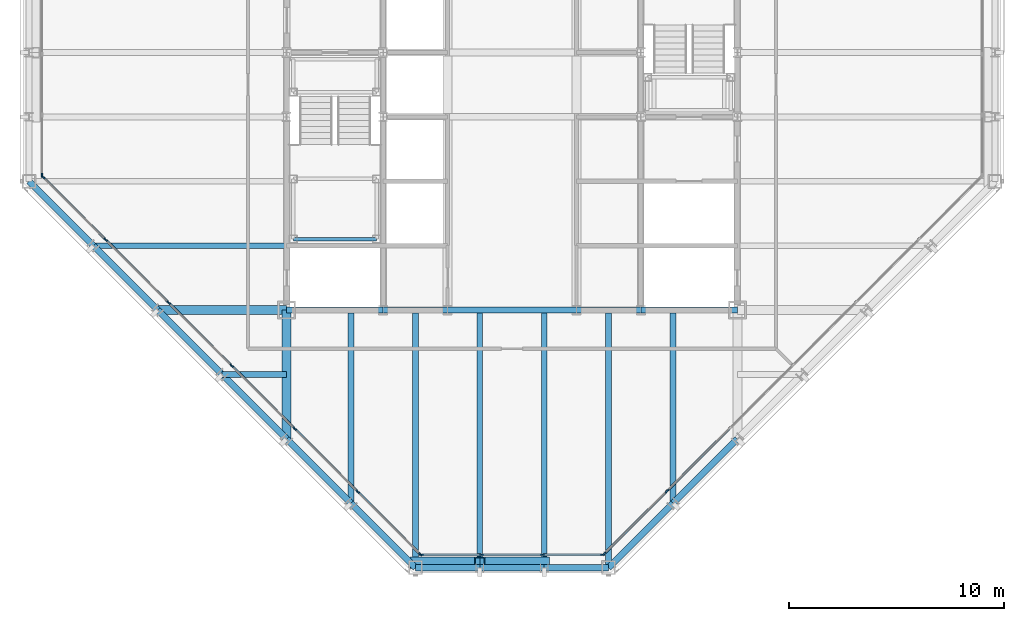
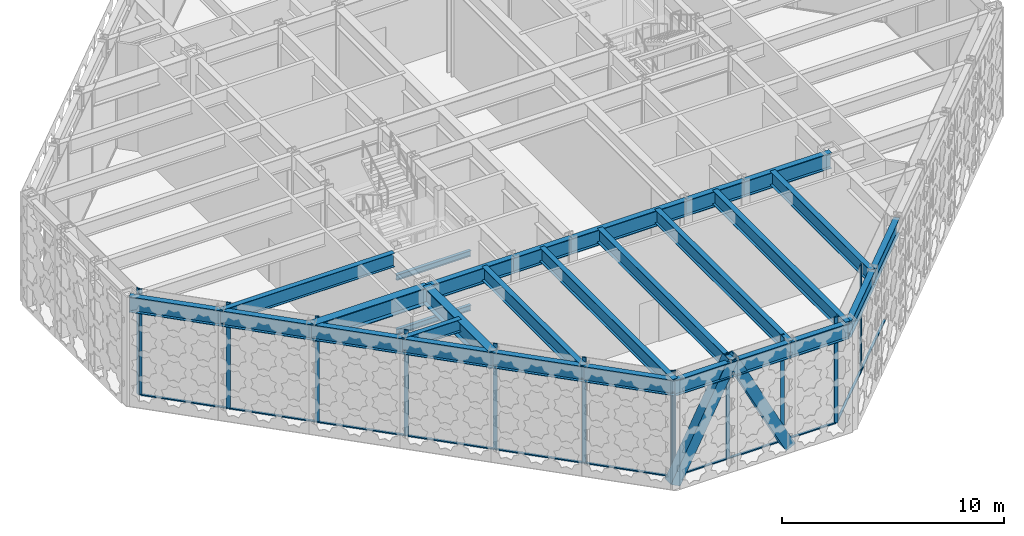
# One storey, part 5 of 28: 28 beams, 27 members, 4 elements without a shape of their own.
"""IFC4 building model written with IfcOpenShell, lengths in metres."""

import ifcopenshell
import ifcopenshell.guid

model = None  # the IFC model being written
_history = None  # IfcOwnerHistory: only IFC2X3 demands one
_inside = {}  # id of a spatial element -> (the spatial element, [elements in it])
_under = {}  # id of a project, library or spatial element -> (it, [spatial elements below it])
_declared = {}  # id of a project -> (the project, [libraries it declares])
_typed = {}  # id of a type object -> (the type object, [elements of that type])
_made_of = {}  # id of a material, layer set ... -> (it, [elements and type objects made of it])


def new_model(schema):
    """Start an empty IFC model of exactly this schema.

    Asked for "IFC4X3", IfcOpenShell would pick the latest addendum, in which some entities
    have other attributes; the version numbers below select the first issue.
    IFC2X3 requires an IfcOwnerHistory on every rooted entity: one is made here for all.
    """
    global model, _history
    if schema == "IFC4X3":
        model = ifcopenshell.file(schema_version=(4, 3, 0, 0))
    else:
        model = ifcopenshell.file(schema=schema)
    _inside.clear()
    _under.clear()
    _declared.clear()
    _typed.clear()
    _made_of.clear()
    _history = None
    if model.schema == "IFC2X3":
        org = make("IfcOrganization", Name="unknown")
        user = make(
            "IfcPersonAndOrganization",
            ThePerson=make("IfcPerson", FamilyName="unknown"),
            TheOrganization=org,
        )
        app = make(
            "IfcApplication",
            ApplicationDeveloper=org,
            Version="unknown",
            ApplicationFullName="unknown",
            ApplicationIdentifier="unknown",
        )
        _history = make(
            "IfcOwnerHistory",
            OwningUser=user,
            OwningApplication=app,
            ChangeAction="ADDED",
            CreationDate=0,
        )
    return model


def make(cls, **values):
    """One entity of the class cls with the attributes given. An attribute that is None is left unset."""
    return model.create_entity(
        cls, **{name: value for name, value in values.items() if value is not None}
    )


def rooted(cls, **values):
    """An entity with a GlobalId (a new one), such as an element, a storey or a relation."""
    return make(cls, GlobalId=ifcopenshell.guid.new(), OwnerHistory=_history, **values)


def si_unit(unit_type, name, prefix=None):
    """IfcSIUnit, for example si_unit("LENGTHUNIT", "METRE", prefix="MILLI")."""
    return make("IfcSIUnit", UnitType=unit_type, Prefix=prefix, Name=name)


def assignment(units):
    """IfcUnitAssignment: the units of a project."""
    return None if units is None else make("IfcUnitAssignment", Units=units)


def point(xyz):
    """IfcCartesianPoint."""
    return None if xyz is None else make("IfcCartesianPoint", Coordinates=xyz)


def direction(xyz):
    """IfcDirection."""
    return None if xyz is None else make("IfcDirection", DirectionRatios=xyz)


def frame(location, z_axis=None, x_axis=None):
    """IfcAxis2Placement3D, a coordinate frame: its origin and axes. An axis left out is left unset."""
    return make(
        "IfcAxis2Placement3D",
        Location=point(location),
        Axis=direction(z_axis),
        RefDirection=direction(x_axis),
    )


def frame_2d(location, x_axis=None):
    """IfcAxis2Placement2D, a coordinate frame in the plane: its origin and x axis."""
    return make(
        "IfcAxis2Placement2D", Location=point(location), RefDirection=direction(x_axis)
    )


def origin():
    """The frame at (0, 0, 0) with its axes left unset."""
    return frame((0.0, 0.0, 0.0))


def origin_2d():
    """The frame at (0, 0) in the plane with its x axis left unset."""
    return frame_2d((0.0, 0.0))


def place(relative_to, where):
    """IfcLocalPlacement: puts the frame where relative to a parent placement (None: the world)."""
    return make(
        "IfcLocalPlacement", PlacementRelTo=relative_to, RelativePlacement=where
    )


def context(
    kind, dimensions, precision=None, world=None, true_north=None, identifier=None
):
    """IfcGeometricRepresentationContext, for example the 3D "Model" context."""
    return make(
        "IfcGeometricRepresentationContext",
        ContextIdentifier=identifier,
        ContextType=kind,
        CoordinateSpaceDimension=dimensions,
        Precision=precision,
        WorldCoordinateSystem=world,
        TrueNorth=true_north,
    )


def subcontext(parent, identifier, kind, view, scale=None):
    """IfcGeometricRepresentationSubContext, for example "Body" below "Model"."""
    return make(
        "IfcGeometricRepresentationSubContext",
        ContextIdentifier=identifier,
        ContextType=kind,
        ParentContext=parent,
        TargetScale=scale,
        TargetView=view,
    )


def project(units=None, contexts=None):
    """IfcProject with its units and contexts."""
    return rooted(
        "IfcProject",
        Name="project",
        RepresentationContexts=contexts,
        UnitsInContext=assignment(units),
    )


def spatial(cls, under=None, at=None, **own):
    """A site, building, storey or space (cls), placed at a placement, below another one or the project."""
    s = rooted(cls, ObjectPlacement=at, **own)
    if under is not None:
        _under.setdefault(under.id(), (under, []))[1].append(s)
    return s


def profile(cls, at=None, kind="AREA", **sizes):
    """A parametric profile (cls). Its sizes go by their IFC names, for example OverallWidth=200.0."""
    return make(cls, ProfileType=kind, Position=at, **sizes)


def rectangle(**sizes):
    """IfcRectangleProfileDef."""
    return profile("IfcRectangleProfileDef", **sizes)


def hollow_rectangle(**sizes):
    """IfcRectangleHollowProfileDef."""
    return profile("IfcRectangleHollowProfileDef", **sizes)


def i_section(**sizes):
    """IfcIShapeProfileDef."""
    return profile("IfcIShapeProfileDef", **sizes)


def extrude(swept, where, along, depth):
    """IfcExtrudedAreaSolid: the profile swept, set in the frame where, extruded along a direction by depth."""
    return make(
        "IfcExtrudedAreaSolid",
        SweptArea=swept,
        Position=where,
        ExtrudedDirection=direction(along),
        Depth=depth,
    )


def shape(context_of_items, identifier, shape_type, items):
    """IfcShapeRepresentation: the items that make up one representation, for example the "Body"."""
    return make(
        "IfcShapeRepresentation",
        ContextOfItems=context_of_items,
        RepresentationIdentifier=identifier,
        RepresentationType=shape_type,
        Items=items,
    )


def material(Name=None, Category=None):
    """IfcMaterial."""
    return make("IfcMaterial", Name=Name, Category=Category)


def layer(
    of_material, thickness, ventilated=None, Name=None, Category=None, Priority=None
):
    """IfcMaterialLayer: one layer of a wall or slab, of a material (None: an air gap)."""
    return make(
        "IfcMaterialLayer",
        Material=of_material,
        LayerThickness=thickness,
        IsVentilated=ventilated,
        Name=Name,
        Category=Category,
        Priority=Priority,
    )


def layer_set(layers, Name=None):
    """IfcMaterialLayerSet."""
    return make("IfcMaterialLayerSet", MaterialLayers=layers, LayerSetName=Name)


def material_profile(
    of_material, cross_section, Name=None, Category=None, Priority=None
):
    """IfcMaterialProfile: a cross section and its material."""
    return make(
        "IfcMaterialProfile",
        Name=Name,
        Material=of_material,
        Profile=cross_section,
        Priority=Priority,
        Category=Category,
    )


def profile_set(profiles, Name=None, composite=None):
    """IfcMaterialProfileSet."""
    return make(
        "IfcMaterialProfileSet",
        Name=Name,
        MaterialProfiles=profiles,
        CompositeProfile=composite,
    )


def made_of(thing, what):
    """Note that an element or type object is made of a material, layer set ...; save() writes the relation."""
    if what is not None:
        _made_of.setdefault(what.id(), (what, []))[1].append(thing)
    return thing


def type_object(cls, material=None, **own):
    """A type object (cls), such as IfcWallType, which elements share."""
    return made_of(rooted(cls, **own), material)


def element(
    cls,
    number,
    at=None,
    inside=None,
    cuts=None,
    type_object=None,
    material=None,
    context=None,
    identifier="Body",
    shape_type=None,
    held_by="IfcProductDefinitionShape",
    body=None,
    shapes=None,
    **own,
):
    """One element of the class cls, such as IfcWall. Its Tag is "e" and its number.

    at: its placement. inside: the storey or other place that contains it. cuts: it is an
    opening in that element (IfcRelVoidsElement). A single representation is given by context,
    identifier, shape_type and body (its items); several are given by shapes. held_by: the class
    of the entity that holds the representations. save() writes the other relations.
    """
    e = rooted(cls, Tag="e%d" % number, ObjectPlacement=at, **own)
    if body is not None:
        shapes = [shape(context, identifier, shape_type, body)]
    if shapes is not None:
        e.Representation = make(held_by, Representations=shapes)
    if inside is not None:
        _inside.setdefault(inside.id(), (inside, []))[1].append(e)
    if cuts is not None:
        rooted(
            "IfcRelVoidsElement", RelatingBuildingElement=cuts, RelatedOpeningElement=e
        )
    if type_object is not None:
        _typed.setdefault(type_object.id(), (type_object, []))[1].append(e)
    return made_of(e, material)


def aggregate(whole, parts):
    """IfcRelAggregates: a whole, such as a stair, and the parts it consists of."""
    return rooted("IfcRelAggregates", RelatingObject=whole, RelatedObjects=parts)


def save(model, path):
    """Write the relations noted so far, then the file.

    IfcRelAggregates (storeys below a building ...), IfcRelContainedInSpatialStructure (elements
    in a storey), IfcRelDefinesByType, IfcRelAssociatesMaterial and IfcRelDeclares: one each for
    every whole, place, type object, material and project.
    """
    for whole, parts in _under.values():
        aggregate(whole, parts)
    for where, things in _inside.values():
        rooted(
            "IfcRelContainedInSpatialStructure",
            RelatedElements=things,
            RelatingStructure=where,
        )
    for kind, things in _typed.values():
        rooted("IfcRelDefinesByType", RelatedObjects=things, RelatingType=kind)
    for what, things in _made_of.values():
        rooted("IfcRelAssociatesMaterial", RelatedObjects=things, RelatingMaterial=what)
    for by, libraries in _declared.values():
        rooted("IfcRelDeclares", RelatingContext=by, RelatedDefinitions=libraries)
    model.write(path)


model = new_model("IFC4")

# Units and contexts
model_context = context("Model", 3, precision=1e-05, world=origin(), true_north=direction((0.0, 1.0)))
body_context = subcontext(model_context, "Body", "Model", "MODEL_VIEW")
ifc_project = project(units=[si_unit("LENGTHUNIT", "METRE"), si_unit("AREAUNIT", "SQUARE_METRE"), si_unit("VOLUMEUNIT", "CUBIC_METRE"), si_unit("PLANEANGLEUNIT", "RADIAN"), si_unit("MASSUNIT", "GRAM", prefix="KILO")], contexts=[model_context])

# Site, building, storey
site_placement = place(None, origin())
site = spatial("IfcSite", under=ifc_project, at=site_placement, CompositionType="ELEMENT")
building_placement = place(site_placement, origin())
building = spatial("IfcBuilding", under=site, at=building_placement, Name="Chuquiago Exchange Tower", CompositionType="ELEMENT")
storey_placement = place(building_placement, frame((0.0, 0.0, 300.0)))
storey = spatial("IfcBuildingStorey", under=building, at=storey_placement, Name="L67", CompositionType="ELEMENT", Elevation=300.0)

# Beams
ifc_material_1 = material(Name="Steel ASTM A992", Category="steel")
ifc_material_profile_1 = material_profile(ifc_material_1, i_section(OverallWidth=0.2919921875, OverallDepth=0.8583984375, WebThickness=0.01708984375, FlangeThickness=0.031005859375, at=origin_2d()), Name="W33X169")
ifc_profile_set_1 = profile_set([ifc_material_profile_1], Name="Steel ASTM A992")
beam_type_1 = type_object("IfcBeamType", Name="B3 W33X169", PredefinedType="BEAM", material=ifc_profile_set_1)
beam_1_placement = place(storey_placement, frame((12.0, 12.0, 5.41064453125), z_axis=(1.0, 0.0, 0.0), x_axis=(0.0, 1.0, 0.0)))
element("IfcBeam", 1, at=beam_1_placement, inside=storey, type_object=beam_type_1, Name="CB-L68-12_12-16.5_12", PredefinedType="BEAM", context=body_context, shape_type="SweptSolid", body=[
    extrude(i_section(OverallWidth=0.2919921875, OverallDepth=0.8583984375, WebThickness=0.01708984375, FlangeThickness=0.031005859375, at=origin_2d()), origin(), (0.0, 0.0, 1.0), 4.5),
])
beam_2_placement = place(storey_placement, frame((16.5, 12.0, 5.41064453125), z_axis=(1.0, 0.0, 0.0), x_axis=(0.0, 1.0, 0.0)))
element("IfcBeam", 2, at=beam_2_placement, inside=storey, type_object=beam_type_1, Name="CB-L68-16.5_12-19.5_12", PredefinedType="BEAM", context=body_context, shape_type="SweptSolid", body=[
    extrude(i_section(OverallWidth=0.2919921875, OverallDepth=0.8583984375, WebThickness=0.01708984375, FlangeThickness=0.031005859375, at=origin_2d()), origin(), (0.0, 0.0, 1.0), 3.0),
])
beam_3_placement = place(storey_placement, frame((19.5, 12.0, 5.41064453125), z_axis=(1.0, 0.0, 0.0), x_axis=(0.0, 1.0, 0.0)))
element("IfcBeam", 3, at=beam_3_placement, inside=storey, type_object=beam_type_1, Name="CB-L68-19.5_12-25.5_12", PredefinedType="BEAM", context=body_context, shape_type="SweptSolid", body=[
    extrude(i_section(OverallWidth=0.2919921875, OverallDepth=0.8583984375, WebThickness=0.01708984375, FlangeThickness=0.031005859375, at=origin_2d()), origin(), (0.0, 0.0, 1.0), 6.0),
])
beam_4_placement = place(storey_placement, frame((25.5, 12.0, 5.41064453125), z_axis=(1.0, 0.0, 0.0), x_axis=(0.0, 1.0, 0.0)))
element("IfcBeam", 4, at=beam_4_placement, inside=storey, type_object=beam_type_1, Name="CB-L68-25.5_12-28.5_12", PredefinedType="BEAM", context=body_context, shape_type="SweptSolid", body=[
    extrude(i_section(OverallWidth=0.2919921875, OverallDepth=0.8583984375, WebThickness=0.01708984375, FlangeThickness=0.031005859375, at=origin_2d()), origin(), (0.0, 0.0, 1.0), 3.0),
])
beam_5_placement = place(storey_placement, frame((28.5, 12.0, 5.41064453125), z_axis=(1.0, 0.0, 0.0), x_axis=(0.0, 1.0, 0.0)))
element("IfcBeam", 5, at=beam_5_placement, inside=storey, type_object=beam_type_1, Name="CB-L68-28.5_12-33_12", PredefinedType="BEAM", context=body_context, shape_type="SweptSolid", body=[
    extrude(i_section(OverallWidth=0.2919921875, OverallDepth=0.8583984375, WebThickness=0.01708984375, FlangeThickness=0.031005859375, at=origin_2d()), origin(), (0.0, 0.0, 1.0), 4.5),
])
ifc_material_2 = material(Name="Steel ASTM A992", Category="steel")
ifc_material_profile_2 = material_profile(ifc_material_2, i_section(OverallWidth=0.2666015625, OverallDepth=0.761962890625, WebThickness=0.014404296875, FlangeThickness=0.021484375, at=origin_2d()), Name="W30X116")
ifc_profile_set_2 = profile_set([ifc_material_profile_2], Name="Steel ASTM A992")
beam_type_2 = type_object("IfcBeamType", Name="B8 W30X116", PredefinedType="BEAM", material=ifc_profile_set_2)
beam_6_placement = place(storey_placement, frame((15.0, 12.0, 5.458984375), z_axis=(0.0, -1.0, 0.0), x_axis=(1.0, 0.0, 0.0)))
element("IfcBeam", 6, at=beam_6_placement, inside=storey, type_object=beam_type_2, Name="FB-L68-infill-15_12-15_3-0", PredefinedType="BEAM", context=body_context, shape_type="SweptSolid", body=[
    extrude(i_section(OverallWidth=0.2666015625, OverallDepth=0.761962890625, WebThickness=0.014404296875, FlangeThickness=0.021484375, at=origin_2d()), origin(), (0.0, 0.0, 1.0), 9.0),
])
for number, where, z_axis, x_axis, name in (
    (7, (18.0, 12.0, 5.458984375), (0.0, -1.0, 0.0), (1.0, 0.0, 0.0), "FB-L68-infill-18_12-18_-0-0"),
    (8, (21.0, 12.0, 5.458984375), (0.0, -1.0, 0.0), (1.0, 0.0, 0.0), "FB-L68-infill-21_12-21_-0-0"),
    (9, (24.0, 12.0, 5.458984375), (0.0, -1.0, 0.0), (1.0, 0.0, 0.0), "FB-L68-infill-24_12-24_-0-0"),
    (10, (27.0, 12.0, 5.458984375), (0.0, -1.0, 0.0), (1.0, 0.0, 0.0), "FB-L68-infill-27_12-27_-0-0"),
):
    element("IfcBeam", number, at=place(storey_placement, frame(where, z_axis=z_axis, x_axis=x_axis)), inside=storey, type_object=beam_type_2, Name=name, PredefinedType="BEAM", context=body_context, shape_type="SweptSolid", body=[
        extrude(i_section(OverallWidth=0.2666015625, OverallDepth=0.761962890625, WebThickness=0.014404296875, FlangeThickness=0.021484375, at=origin_2d()), origin(), (0.0, 0.0, 1.0), 12.0),
    ])
for number, where, z_axis, x_axis, name in (
    (11, (30.0, 12.0, 5.458984375), (0.0, -1.0, 0.0), (1.0, 0.0, 0.0), "FB-L68-infill-30_12-30_3-0"),
    (12, (12.0, 15.0, 5.458984375), (-1.0, 0.0, 0.0), (0.0, -1.0, 0.0), "FB-L68-infill-12_15-3_15-0"),
):
    element("IfcBeam", number, at=place(storey_placement, frame(where, z_axis=z_axis, x_axis=x_axis)), inside=storey, type_object=beam_type_2, Name=name, PredefinedType="BEAM", context=body_context, shape_type="SweptSolid", body=[
        extrude(i_section(OverallWidth=0.2666015625, OverallDepth=0.761962890625, WebThickness=0.014404296875, FlangeThickness=0.021484375, at=origin_2d()), origin(), (0.0, 0.0, 1.0), 9.0),
    ])
ifc_material_3 = material(Name="Steel ASTM A992", Category="steel")
ifc_material_profile_3 = material_profile(ifc_material_3, i_section(OverallWidth=0.256591796875, OverallDepth=0.693359375, WebThickness=0.014404296875, FlangeThickness=0.023681640625, at=origin_2d()), Name="W27X114")
ifc_profile_set_3 = profile_set([ifc_material_profile_3], Name="Steel ASTM A992")
beam_type_3 = type_object("IfcBeamType", Name="B9 W27X114", PredefinedType="BEAM", material=ifc_profile_set_3)
beam_7_placement = place(storey_placement, frame((12.0, 9.0, 5.493408203125), z_axis=(-1.0, 0.0, 0.0), x_axis=(0.0, -1.0, 0.0)))
element("IfcBeam", 13, at=beam_7_placement, inside=storey, type_object=beam_type_3, Name="FB-L68-corner-12_9-9_9-0", PredefinedType="BEAM", context=body_context, shape_type="SweptSolid", body=[
    extrude(i_section(OverallWidth=0.256591796875, OverallDepth=0.693359375, WebThickness=0.014404296875, FlangeThickness=0.023681640625, at=origin_2d()), origin(), (0.0, 0.0, 1.0), 3.0),
])

# Curtain wall, members
ifc_material_4 = material(Name="Aluminium curtain wall system", Category="aluminium")
ifc_layer = layer(ifc_material_4, 0.199951171875)
ifc_layer_set = layer_set([ifc_layer], Name="CW5 lantern curtain wall")
curtain_wall_type = type_object("IfcCurtainWallType", Name="CW5 lantern curtain wall", PredefinedType="NOTDEFINED", material=ifc_layer_set)
curtain_wall_1_placement = place(storey_placement, origin())
curtain_wall_1 = element("IfcCurtainWall", 14, at=curtain_wall_1_placement, inside=storey, type_object=curtain_wall_type, Name="CW5 curtain wall L67", PredefinedType="NOTDEFINED")
ifc_material_5 = material(Name="Aluminium mullion, pale anodised", Category="aluminium")
ifc_material_profile_4 = material_profile(ifc_material_5, rectangle(XDim=0.06005859375, YDim=0.199951171875, at=origin_2d()), Name="AL 60x200")
ifc_profile_set_4 = profile_set([ifc_material_profile_4], Name="Aluminium mullion, pale anodised")
member_type_1 = type_object("IfcMemberType", Name="CW5-M mullion 60x200", PredefinedType="MULLION", material=ifc_profile_set_4)
member_1_placement = place(storey_placement, frame((18.278564453125, 0.60009765625, 0.0), z_axis=(0.0, 0.0, 1.0), x_axis=(0.0, 1.0, 0.0)))
member_1 = element("IfcMember", 15, at=member_1_placement, type_object=member_type_1, Name="CW5 mullion 1", PredefinedType="MULLION", context=body_context, shape_type="SweptSolid", body=[
    extrude(rectangle(XDim=0.06005859375, YDim=0.199951171875, at=origin_2d()), origin(), (0.0, 0.0, 1.0), 5.840087890625),
])
member_2_placement = place(storey_placement, frame((21.082763671875, 0.60009765625, 0.0), z_axis=(0.0, 0.0, 1.0), x_axis=(0.0, 1.0, 0.0)))
member_2 = element("IfcMember", 16, at=member_2_placement, type_object=member_type_1, Name="CW5 mullion 2", PredefinedType="MULLION", context=body_context, shape_type="SweptSolid", body=[
    extrude(rectangle(XDim=0.06005859375, YDim=0.199951171875, at=origin_2d()), origin(), (0.0, 0.0, 1.0), 5.840087890625),
])
member_3_placement = place(storey_placement, frame((23.917236328125, 0.60009765625, 0.0), z_axis=(0.0, 0.0, 1.0), x_axis=(0.0, 1.0, 0.0)))
member_3 = element("IfcMember", 17, at=member_3_placement, type_object=member_type_1, Name="CW5 mullion 3", PredefinedType="MULLION", context=body_context, shape_type="SweptSolid", body=[
    extrude(rectangle(XDim=0.06005859375, YDim=0.199951171875, at=origin_2d()), origin(), (0.0, 0.0, 1.0), 5.840087890625),
])
member_4_placement = place(storey_placement, frame((26.721435546875, 0.60009765625, 0.0), z_axis=(0.0, 0.0, 1.0), x_axis=(0.0, 1.0, 0.0)))
member_4 = element("IfcMember", 18, at=member_4_placement, type_object=member_type_1, Name="CW5 mullion 4", PredefinedType="MULLION", context=body_context, shape_type="SweptSolid", body=[
    extrude(rectangle(XDim=0.06005859375, YDim=0.199951171875, at=origin_2d()), origin(), (0.0, 0.0, 1.0), 5.840087890625),
])

curtain_wall_2_placement = place(storey_placement, origin())
curtain_wall_2 = element("IfcCurtainWall", 19, at=curtain_wall_2_placement, inside=storey, type_object=curtain_wall_type, Name="CW5 curtain wall L67", PredefinedType="NOTDEFINED")
member_5_placement = place(storey_placement, frame((26.80810546875, 0.656494140625, 0.0), z_axis=(0.0, 0.0, 1.0), x_axis=(-0.707104773852, 0.707108788515, 0.0)))
member_5 = element("IfcMember", 20, at=member_5_placement, type_object=member_type_1, Name="CW5 mullion 1", PredefinedType="MULLION", context=body_context, shape_type="SweptSolid", body=[
    extrude(rectangle(XDim=0.06005859375, YDim=0.199951171875, at=origin_2d()), origin(), (0.0, 0.0, 1.0), 5.840087890625),
])
member_6_placement = place(storey_placement, frame((29.722412109375, 3.57080078125, 0.0), z_axis=(0.0, 0.0, 1.0), x_axis=(-0.707104773852, 0.707108788515, 0.0)))
member_6 = element("IfcMember", 21, at=member_6_placement, type_object=member_type_1, Name="CW5 mullion 2", PredefinedType="MULLION", context=body_context, shape_type="SweptSolid", body=[
    extrude(rectangle(XDim=0.06005859375, YDim=0.199951171875, at=origin_2d()), origin(), (0.0, 0.0, 1.0), 5.840087890625),
])

# Curtain wall, member
curtain_wall_3_placement = place(storey_placement, origin())
curtain_wall_3 = element("IfcCurtainWall", 22, at=curtain_wall_3_placement, inside=storey, type_object=curtain_wall_type, Name="CW5 curtain wall L67", PredefinedType="NOTDEFINED")
member_7_placement = place(storey_placement, frame((0.60009765625, 18.278564453125, 0.0), z_axis=(0.0, 0.0, 1.0), x_axis=(1.0, 0.0, 0.0)))
member_7 = element("IfcMember", 23, at=member_7_placement, type_object=member_type_1, Name="CW5 mullion 4", PredefinedType="MULLION", context=body_context, shape_type="SweptSolid", body=[
    extrude(rectangle(XDim=0.06005859375, YDim=0.199951171875, at=origin_2d()), origin(), (0.0, 0.0, 1.0), 5.840087890625),
])
aggregate(curtain_wall_3, [member_7])

# Curtain wall, members
curtain_wall_4_placement = place(storey_placement, origin())
curtain_wall_4 = element("IfcCurtainWall", 24, at=curtain_wall_4_placement, inside=storey, type_object=curtain_wall_type, Name="CW5 curtain wall L67", PredefinedType="NOTDEFINED")
member_8_placement = place(storey_placement, frame((0.656494140625, 18.19189453125, 0.0), z_axis=(0.0, 0.0, 1.0), x_axis=(0.707108788515, 0.707104773852, 0.0)))
member_8 = element("IfcMember", 25, at=member_8_placement, type_object=member_type_1, Name="CW5 mullion 1", PredefinedType="MULLION", context=body_context, shape_type="SweptSolid", body=[
    extrude(rectangle(XDim=0.06005859375, YDim=0.199951171875, at=origin_2d()), origin(), (0.0, 0.0, 1.0), 5.840087890625),
])
member_9_placement = place(storey_placement, frame((3.57080078125, 15.277587890625, 0.0), z_axis=(0.0, 0.0, 1.0), x_axis=(0.707108788515, 0.707104773852, 0.0)))
member_9 = element("IfcMember", 26, at=member_9_placement, type_object=member_type_1, Name="CW5 mullion 2", PredefinedType="MULLION", context=body_context, shape_type="SweptSolid", body=[
    extrude(rectangle(XDim=0.06005859375, YDim=0.199951171875, at=origin_2d()), origin(), (0.0, 0.0, 1.0), 5.840087890625),
])
member_10_placement = place(storey_placement, frame((6.50634765625, 12.342041015625, 0.0), z_axis=(0.0, 0.0, 1.0), x_axis=(0.707108788515, 0.707104773852, 0.0)))
member_10 = element("IfcMember", 27, at=member_10_placement, type_object=member_type_1, Name="CW5 mullion 3", PredefinedType="MULLION", context=body_context, shape_type="SweptSolid", body=[
    extrude(rectangle(XDim=0.06005859375, YDim=0.199951171875, at=origin_2d()), origin(), (0.0, 0.0, 1.0), 5.840087890625),
])
member_11_placement = place(storey_placement, frame((9.44189453125, 9.406494140625, 0.0), z_axis=(0.0, 0.0, 1.0), x_axis=(0.707108788515, 0.707104773852, 0.0)))
member_11 = element("IfcMember", 28, at=member_11_placement, type_object=member_type_1, Name="CW5 mullion 4", PredefinedType="MULLION", context=body_context, shape_type="SweptSolid", body=[
    extrude(rectangle(XDim=0.06005859375, YDim=0.199951171875, at=origin_2d()), origin(), (0.0, 0.0, 1.0), 5.840087890625),
])
member_12_placement = place(storey_placement, frame((12.37744140625, 6.470947265625, 0.0), z_axis=(0.0, 0.0, 1.0), x_axis=(0.707108788515, 0.707104773852, 0.0)))
member_12 = element("IfcMember", 29, at=member_12_placement, type_object=member_type_1, Name="CW5 mullion 5", PredefinedType="MULLION", context=body_context, shape_type="SweptSolid", body=[
    extrude(rectangle(XDim=0.06005859375, YDim=0.199951171875, at=origin_2d()), origin(), (0.0, 0.0, 1.0), 5.840087890625),
])
member_13_placement = place(storey_placement, frame((15.31298828125, 3.53564453125, 0.0), z_axis=(0.0, 0.0, 1.0), x_axis=(0.707108788515, 0.707104773852, 0.0)))
member_13 = element("IfcMember", 30, at=member_13_placement, type_object=member_type_1, Name="CW5 mullion 6", PredefinedType="MULLION", context=body_context, shape_type="SweptSolid", body=[
    extrude(rectangle(XDim=0.06005859375, YDim=0.199951171875, at=origin_2d()), origin(), (0.0, 0.0, 1.0), 5.840087890625),
])
member_14_placement = place(storey_placement, frame((18.227294921875, 0.62109375, 0.0), z_axis=(0.0, 0.0, 1.0), x_axis=(0.707108788515, 0.707104773852, 0.0)))
member_14 = element("IfcMember", 31, at=member_14_placement, type_object=member_type_1, Name="CW5 mullion 7", PredefinedType="MULLION", context=body_context, shape_type="SweptSolid", body=[
    extrude(rectangle(XDim=0.06005859375, YDim=0.199951171875, at=origin_2d()), origin(), (0.0, 0.0, 1.0), 5.840087890625),
])

# Member
ifc_material_6 = material(Name="Aluminium transom, pale anodised", Category="aluminium")
ifc_material_profile_5 = material_profile(ifc_material_6, rectangle(XDim=0.1201171875, YDim=0.06005859375, at=origin_2d()), Name="AL 120x60")
ifc_profile_set_5 = profile_set([ifc_material_profile_5], Name="Aluminium transom, pale anodised")
member_type_2 = type_object("IfcMemberType", Name="CW5-T transom 60x120", PredefinedType="MULLION", material=ifc_profile_set_5)
member_15_placement = place(storey_placement, frame((18.30859375, 0.60009765625, 0.030029296875), z_axis=(1.0, 0.0, 0.0), x_axis=(0.0, 1.0, 0.0)))
member_15 = element("IfcMember", 32, at=member_15_placement, type_object=member_type_2, Name="CW5 transom 1.1", PredefinedType="MULLION", context=body_context, shape_type="SweptSolid", body=[
    extrude(rectangle(XDim=0.1201171875, YDim=0.06005859375, at=origin_2d()), origin(), (0.0, 0.0, 1.0), 2.744140625),
])

member_16_placement = place(storey_placement, frame((21.11279296875, 0.60009765625, 0.030029296875), z_axis=(1.0, 0.0, 0.0), x_axis=(0.0, 1.0, 0.0)))
member_16 = element("IfcMember", 33, at=member_16_placement, type_object=member_type_2, Name="CW5 transom 2.1", PredefinedType="MULLION", context=body_context, shape_type="SweptSolid", body=[
    extrude(rectangle(XDim=0.1201171875, YDim=0.06005859375, at=origin_2d()), origin(), (0.0, 0.0, 1.0), 2.7744140625),
])

member_17_placement = place(storey_placement, frame((23.947265625, 0.60009765625, 0.030029296875), z_axis=(1.0, 0.0, 0.0), x_axis=(0.0, 1.0, 0.0)))
member_17 = element("IfcMember", 34, at=member_17_placement, type_object=member_type_2, Name="CW5 transom 3.1", PredefinedType="MULLION", context=body_context, shape_type="SweptSolid", body=[
    extrude(rectangle(XDim=0.1201171875, YDim=0.06005859375, at=origin_2d()), origin(), (0.0, 0.0, 1.0), 2.744140625),
])

aggregate(curtain_wall_1, [member_1, member_2, member_3, member_4, member_15, member_16, member_17])

member_18_placement = place(storey_placement, frame((26.829345703125, 0.677734375, 0.030029296875), z_axis=(0.707076725429, 0.707136835667, 0.0), x_axis=(-0.707136835667, 0.707076725429, 0.0)))
member_18 = element("IfcMember", 35, at=member_18_placement, type_object=member_type_2, Name="CW5 transom 1.1", PredefinedType="MULLION", context=body_context, shape_type="SweptSolid", body=[
    extrude(rectangle(XDim=0.1201171875, YDim=0.06005859375, at=origin_2d()), origin(), (0.0, 0.0, 1.0), 4.0615234375),
])

member_19_placement = place(storey_placement, frame((29.74365234375, 3.592041015625, 0.030029296875), z_axis=(0.707106781187, 0.707106781187, 0.0), x_axis=(-0.707106781187, 0.707106781187, 0.0)))
member_19 = element("IfcMember", 36, at=member_19_placement, type_object=member_type_2, Name="CW5 transom 2.1", PredefinedType="MULLION", context=body_context, shape_type="SweptSolid", body=[
    extrude(rectangle(XDim=0.1201171875, YDim=0.06005859375, at=origin_2d()), origin(), (0.0, 0.0, 1.0), 4.09130859375),
])

aggregate(curtain_wall_2, [member_5, member_6, member_18, member_19])

member_20_placement = place(storey_placement, frame((0.677734375, 18.170654296875, 0.030029296875), z_axis=(0.707136835667, -0.707076725429, 0.0), x_axis=(0.707076725429, 0.707136835667, 0.0)))
member_20 = element("IfcMember", 37, at=member_20_placement, type_object=member_type_2, Name="CW5 transom 1.1", PredefinedType="MULLION", context=body_context, shape_type="SweptSolid", body=[
    extrude(rectangle(XDim=0.1201171875, YDim=0.06005859375, at=origin_2d()), origin(), (0.0, 0.0, 1.0), 4.0615234375),
])

member_21_placement = place(storey_placement, frame((3.592041015625, 15.25634765625, 0.030029296875), z_axis=(0.707106781187, -0.707106781187, 0.0), x_axis=(0.707106781187, 0.707106781187, 0.0)))
member_21 = element("IfcMember", 38, at=member_21_placement, type_object=member_type_2, Name="CW5 transom 2.1", PredefinedType="MULLION", context=body_context, shape_type="SweptSolid", body=[
    extrude(rectangle(XDim=0.1201171875, YDim=0.06005859375, at=origin_2d()), origin(), (0.0, 0.0, 1.0), 4.09130859375),
])

member_22_placement = place(storey_placement, frame((6.527587890625, 12.32080078125, 0.030029296875), z_axis=(0.707106781187, -0.707106781187, 0.0), x_axis=(0.707106781187, 0.707106781187, 0.0)))
member_22 = element("IfcMember", 39, at=member_22_placement, type_object=member_type_2, Name="CW5 transom 3.1", PredefinedType="MULLION", context=body_context, shape_type="SweptSolid", body=[
    extrude(rectangle(XDim=0.1201171875, YDim=0.06005859375, at=origin_2d()), origin(), (0.0, 0.0, 1.0), 4.09130859375),
])

member_23_placement = place(storey_placement, frame((9.463134765625, 9.385498046875, 0.030029296875), z_axis=(0.707076946087, -0.707136615027, 0.0), x_axis=(0.707136615027, 0.707076946087, 0.0)))
member_23 = element("IfcMember", 40, at=member_23_placement, type_object=member_type_2, Name="CW5 transom 4.1", PredefinedType="MULLION", context=body_context, shape_type="SweptSolid", body=[
    extrude(rectangle(XDim=0.1201171875, YDim=0.06005859375, at=origin_2d()), origin(), (0.0, 0.0, 1.0), 4.091552734375),
])

member_24_placement = place(storey_placement, frame((12.398681640625, 6.449951171875, 0.030029296875), z_axis=(0.707076946087, -0.707136615027, 0.0), x_axis=(0.707136615027, 0.707076946087, 0.0)))
member_24 = element("IfcMember", 41, at=member_24_placement, type_object=member_type_2, Name="CW5 transom 5.1", PredefinedType="MULLION", context=body_context, shape_type="SweptSolid", body=[
    extrude(rectangle(XDim=0.1201171875, YDim=0.06005859375, at=origin_2d()), origin(), (0.0, 0.0, 1.0), 4.091552734375),
])

member_25_placement = place(storey_placement, frame((15.334228515625, 3.514404296875, 0.030029296875), z_axis=(0.707076725429, -0.707136835667, 0.0), x_axis=(0.707136835667, 0.707076725429, 0.0)))
member_25 = element("IfcMember", 42, at=member_25_placement, type_object=member_type_2, Name="CW5 transom 6.1", PredefinedType="MULLION", context=body_context, shape_type="SweptSolid", body=[
    extrude(rectangle(XDim=0.1201171875, YDim=0.06005859375, at=origin_2d()), origin(), (0.0, 0.0, 1.0), 4.0615234375),
])

aggregate(curtain_wall_4, [member_8, member_9, member_10, member_11, member_12, member_13, member_14, member_20, member_21, member_22, member_23, member_24, member_25])

# Beams
ifc_material_7 = material(Name="Steel ASTM A992", Category="steel")
ifc_material_profile_6 = material_profile(ifc_material_7, i_section(OverallWidth=0.424072265625, OverallDepth=0.947509765625, WebThickness=0.02392578125, FlangeThickness=0.042724609375, at=origin_2d()), Name="W36X302")
ifc_profile_set_6 = profile_set([ifc_material_profile_6], Name="Steel ASTM A992")
beam_type_4 = type_object("IfcBeamType", Name="G4 W36X302", PredefinedType="BEAM", material=ifc_profile_set_6)
for number, where, z_axis, x_axis, name in (
    (43, (12.0, 12.0, 5.3662109375), (0.0, -1.0, 0.0), (1.0, 0.0, 0.0), "FB-L68-girder-12_12-12_6-0"),
    (44, (12.0, 12.0, 5.3662109375), (-1.0, 0.0, 0.0), (0.0, -1.0, 0.0), "FB-L68-girder-12_12-6_12-0"),
):
    element("IfcBeam", number, at=place(storey_placement, frame(where, z_axis=z_axis, x_axis=x_axis)), inside=storey, type_object=beam_type_4, Name=name, PredefinedType="BEAM", context=body_context, shape_type="SweptSolid", body=[
        extrude(i_section(OverallWidth=0.424072265625, OverallDepth=0.947509765625, WebThickness=0.02392578125, FlangeThickness=0.042724609375, at=origin_2d()), origin(), (0.0, 0.0, 1.0), 6.0),
    ])
ifc_material_8 = material(Name="Steel ASTM A992", Category="steel")
ifc_material_profile_7 = material_profile(ifc_material_8, i_section(OverallWidth=0.164794921875, OverallDepth=0.309814453125, WebThickness=0.005859375, FlangeThickness=0.009765625, at=origin_2d()), Name="W12X26")
ifc_profile_set_7 = profile_set([ifc_material_profile_7], Name="Steel ASTM A992")
beam_type_5 = type_object("IfcBeamType", Name="LT1 W12X26", PredefinedType="BEAM", material=ifc_profile_set_7)
for number, where, z_axis, x_axis, name in (
    (45, (12.31005859375, 15.31005859375, 1.14501953125), (1.0, 0.0, 0.0), (0.0, 1.0, 0.0), "Stair ST1 L67 landing 1 trimmer"),
    (46, (12.31005859375, 15.31005859375, 4.14501953125), (1.0, 0.0, 0.0), (0.0, 1.0, 0.0), "Stair ST1 L67 landing 3 trimmer"),
):
    element("IfcBeam", number, at=place(storey_placement, frame(where, z_axis=z_axis, x_axis=x_axis)), inside=storey, type_object=beam_type_5, Name=name, PredefinedType="BEAM", context=body_context, shape_type="SweptSolid", body=[
        extrude(i_section(OverallWidth=0.164794921875, OverallDepth=0.309814453125, WebThickness=0.005859375, FlangeThickness=0.009765625, at=origin_2d()), origin(), (0.0, 0.0, 1.0), 3.8798828125),
    ])

# Members
ifc_material_9 = material(Name="Steel ASTM A572 Grade 50", Category="steel")
ifc_material_profile_8 = material_profile(ifc_material_9, hollow_rectangle(XDim=0.550048828125, YDim=0.550048828125, WallThickness=0.044921875, at=origin_2d()), Name="BOX550X550X45")
ifc_profile_set_8 = profile_set([ifc_material_profile_8], Name="Steel ASTM A572 Grade 50")
member_type_3 = type_object("IfcMemberType", Name="MB4 BOX550X550X45", PredefinedType="BRACE", material=ifc_profile_set_8)
for number, where, z_axis, x_axis, name in (
    (47, (18.0, 0.22998046875, 0.0), (0.456929540486, 0.0, 0.889502892087), (0.0, 1.0, 0.0), "Mega diagonal L67 S face"),
    (48, (24.0, 0.22998046875, 0.0), (-0.456929540486, 0.0, 0.889502892087), (0.0, -1.0, 0.0), "Mega diagonal L67 S face"),
):
    element("IfcMember", number, at=place(storey_placement, frame(where, z_axis=z_axis, x_axis=x_axis)), inside=storey, type_object=member_type_3, Name=name, PredefinedType="BRACE", context=body_context, shape_type="SweptSolid", body=[
        extrude(hollow_rectangle(XDim=0.550048828125, YDim=0.550048828125, WallThickness=0.044921875, at=origin_2d()), origin(), (0.0, 0.0, 1.0), 6.565673828125),
    ])

# Beams
ifc_material_10 = material(Name="Steel ASTM A992", Category="steel")
ifc_material_profile_9 = material_profile(ifc_material_10, i_section(OverallWidth=0.2919921875, OverallDepth=0.8583984375, WebThickness=0.01708984375, FlangeThickness=0.031005859375, at=origin_2d()), Name="W33X169")
ifc_profile_set_9 = profile_set([ifc_material_profile_9], Name="Steel ASTM A992")
beam_type_6 = type_object("IfcBeamType", Name="SP4 W33X169", PredefinedType="SPANDREL", material=ifc_profile_set_9)
for number, where, z_axis, x_axis, name in (
    (49, (18.0, 0.0, 5.41064453125), (1.0, 0.0, 0.0), (0.0, 1.0, 0.0), "SPB-L68-18_0-21_0"),
    (50, (21.0, 0.0, 5.41064453125), (1.0, 0.0, 0.0), (0.0, 1.0, 0.0), "SPB-L68-21_0-24_0"),
    (51, (24.0, 0.0, 5.41064453125), (1.0, 0.0, 0.0), (0.0, 1.0, 0.0), "SPB-L68-24_0-27_0"),
):
    element("IfcBeam", number, at=place(storey_placement, frame(where, z_axis=z_axis, x_axis=x_axis)), inside=storey, type_object=beam_type_6, Name=name, PredefinedType="SPANDREL", context=body_context, shape_type="SweptSolid", body=[
        extrude(i_section(OverallWidth=0.2919921875, OverallDepth=0.8583984375, WebThickness=0.01708984375, FlangeThickness=0.031005859375, at=origin_2d()), origin(), (0.0, 0.0, 1.0), 3.0),
    ])
for number, where, z_axis, x_axis, name in (
    (52, (27.0, 0.0, 5.41064453125), (0.707106781187, 0.707106781187, 0.0), (-0.707106781187, 0.707106781187, 0.0), "SPB-L68-27_0-30_3"),
    (53, (30.0, 3.0, 5.41064453125), (0.707106781187, 0.707106781187, 0.0), (-0.707106781187, 0.707106781187, 0.0), "SPB-L68-30_3-33_6"),
    (54, (0.0, 18.0, 5.41064453125), (0.707106781187, -0.707106781187, 0.0), (0.707106781187, 0.707106781187, 0.0), "SPB-L68-0_18-3_15"),
    (55, (3.0, 15.0, 5.41064453125), (0.707106781187, -0.707106781187, 0.0), (0.707106781187, 0.707106781187, 0.0), "SPB-L68-3_15-6_12"),
    (56, (6.0, 12.0, 5.41064453125), (0.707106781187, -0.707106781187, 0.0), (0.707106781187, 0.707106781187, 0.0), "SPB-L68-6_12-9_9"),
    (57, (9.0, 9.0, 5.41064453125), (0.707106781187, -0.707106781187, 0.0), (0.707106781187, 0.707106781187, 0.0), "SPB-L68-9_9-12_6"),
    (58, (12.0, 6.0, 5.41064453125), (0.707106781187, -0.707106781187, 0.0), (0.707106781187, 0.707106781187, 0.0), "SPB-L68-12_6-15_3"),
    (59, (15.0, 3.0, 5.41064453125), (0.707106781187, -0.707106781187, 0.0), (0.707106781187, 0.707106781187, 0.0), "SPB-L68-15_3-18_0"),
):
    element("IfcBeam", number, at=place(storey_placement, frame(where, z_axis=z_axis, x_axis=x_axis)), inside=storey, type_object=beam_type_6, Name=name, PredefinedType="SPANDREL", context=body_context, shape_type="SweptSolid", body=[
        extrude(i_section(OverallWidth=0.2919921875, OverallDepth=0.8583984375, WebThickness=0.01708984375, FlangeThickness=0.031005859375, at=origin_2d()), origin(), (0.0, 0.0, 1.0), 4.24267578125),
    ])

save(model, "model.ifc")
